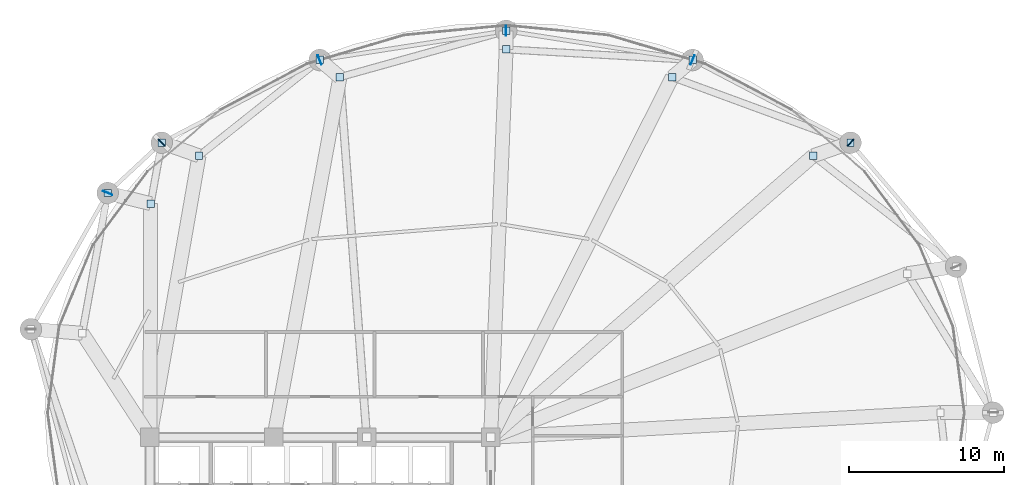
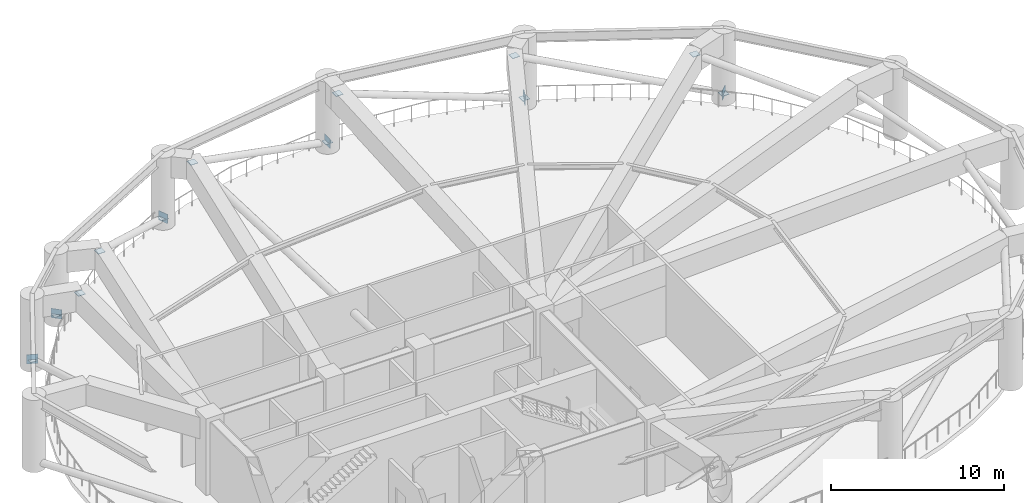
# One storey, part 5 of 9: 18 plates.
"""IFC4 building model written with IfcOpenShell, lengths in metres."""

from ifc_helpers import new_model, si_unit, direction, frame, origin, origin_2d, place, context, subcontext, project, spatial, rectangle, extrude, material, layer, layer_set, type_object, element, save


model = new_model("IFC4")

# Units and contexts
model_context = context("Model", 3, precision=1e-05, world=origin(), true_north=direction((0.0, 1.0)))
body_context = subcontext(model_context, "Body", "Model", "MODEL_VIEW")
ifc_project = project(units=[si_unit("LENGTHUNIT", "METRE"), si_unit("AREAUNIT", "SQUARE_METRE"), si_unit("VOLUMEUNIT", "CUBIC_METRE"), si_unit("PLANEANGLEUNIT", "RADIAN"), si_unit("MASSUNIT", "GRAM", prefix="KILO")], contexts=[model_context])

# Site, building, storey
site_placement = place(None, origin())
site = spatial("IfcSite", under=ifc_project, at=site_placement, CompositionType="ELEMENT")
building_placement = place(site_placement, origin())
building = spatial("IfcBuilding", under=site, at=building_placement, Name="Kazevale Care Tower and Concert Hall", CompositionType="ELEMENT")
storey_placement = place(building_placement, frame((0.0, 0.0, 92.39990234375)))
storey = spatial("IfcBuildingStorey", under=building, at=storey_placement, Name="L24", CompositionType="ELEMENT", Elevation=92.39990234375)

# Plates
ifc_material = material(Name="Steel ASTM A572 Gr 50", Category="steel")
ifc_layer_1 = layer(ifc_material, 0.02490234375)
ifc_layer_set_1 = layer_set([ifc_layer_1], Name="Steel ASTM A572 Gr 50")
plate_type_1 = type_object("IfcPlateType", Name="Hollow Section End Cap Plate 25mm", PredefinedType="USERDEFINED", material=ifc_layer_set_1)
for number, where, z_axis, x_axis, name in (
    (1, (64.830078125, 54.580078125, 4.517578125), (0.0, 0.0, 1.0), (1.0, 0.0, 0.0), "brace:L24:belt:02:cap1"),
    (2, (67.239990234375, 55.429931640625, 0.3876953125), (0.0, 0.0, 1.0), (1.0, 0.0, 0.0), "brace:L24:belt:03:cap0"),
    (3, (55.72998046875, 59.659912109375, 4.517578125), (0.0, 0.0, 1.0), (1.0, 0.0, 0.0), "brace:L24:belt:03:cap1"),
    (4, (57.0400390625, 60.77001953125, 0.3876953125), (0.0, 0.0, 1.0), (1.0, 0.0, 0.0), "brace:L24:belt:04:cap0"),
    (5, (45.0, 61.449951171875, 4.517578125), (0.0, 0.0, 1.0), (1.0, 0.0, 0.0), "brace:L24:belt:04:cap1"),
    (6, (45.0, 62.64990234375, 0.3876953125), (0.0, 0.0, 1.0), (1.0, 0.0, 0.0), "brace:L24:belt:05:cap0"),
    (7, (34.27001953125, 59.659912109375, 4.517578125), (0.0, 0.0, 1.0), (1.0, 0.0, 0.0), "brace:L24:belt:05:cap1"),
    (8, (32.9599609375, 60.77001953125, 0.3876953125), (0.0, 0.0, 1.0), (1.0, 0.0, 0.0), "brace:L24:belt:06:cap0"),
    (9, (25.169921875, 54.580078125, 4.517578125), (0.0, 0.0, 1.0), (1.0, 0.0, 0.0), "brace:L24:belt:06:cap1"),
    (10, (22.760009765625, 55.429931640625, 0.3876953125), (0.0, 0.0, 1.0), (1.0, 0.0, 0.0), "brace:L24:belt:07:cap0"),
    (11, (22.050048828125, 51.489990234375, 4.517578125), (0.0, 0.0, 1.0), (1.0, 0.0, 0.0), "brace:L24:belt:07:cap1"),
    (12, (19.27001953125, 52.179931640625, 0.3876953125), (0.0, 0.0, 1.0), (1.0, 0.0, 0.0), "brace:L24:belt:08:cap0"),
):
    element("IfcPlate", number, at=place(storey_placement, frame(where, z_axis=z_axis, x_axis=x_axis)), inside=storey, type_object=plate_type_1, Name=name, ObjectType="END_CAP_PLATE", PredefinedType="USERDEFINED", context=body_context, shape_type="SweptSolid", body=[
        extrude(rectangle(XDim=0.47998046875, YDim=0.47998046875, at=origin_2d()), origin(), (0.0, 0.0, 1.0), 0.02490234375),
    ])
ifc_layer_2 = layer(ifc_material, 0.0400390625)
ifc_layer_set_2 = layer_set([ifc_layer_2], Name="Steel ASTM A572 Gr 50")
plate_type_2 = type_object("IfcPlateType", Name="Outrigger & Truss Gusset Plate 40mm", PredefinedType="USERDEFINED", material=ifc_layer_set_2)
for number, where, z_axis, x_axis, name in (
    (13, (67.239990234375, 55.429931640625, 0.125244140625), (0.0, 0.0, 1.0), (0.707106781187, 0.707106781187, 0.0), "plate:L24:gusset:03"),
    (14, (57.0400390625, 60.77001953125, 0.125244140625), (0.0, 0.0, 1.0), (0.382683432365, 0.923879532511, 0.0), "plate:L24:gusset:04"),
    (15, (45.0, 62.64990234375, 0.125244140625), (0.0, 0.0, 1.0), (0.0, 1.0, 0.0), "plate:L24:gusset:05"),
    (16, (32.9599609375, 60.77001953125, 0.125244140625), (0.0, 0.0, 1.0), (-0.382683432365, 0.923879532511, 0.0), "plate:L24:gusset:06"),
    (17, (22.760009765625, 55.429931640625, 0.125244140625), (0.0, 0.0, 1.0), (-0.707106781187, 0.707106781187, 0.0), "plate:L24:gusset:07"),
    (18, (19.27001953125, 52.179931640625, 0.125244140625), (0.0, 0.0, 1.0), (-0.923879532511, 0.382683432365, 0.0), "plate:L24:gusset:08"),
):
    element("IfcPlate", number, at=place(storey_placement, frame(where, z_axis=z_axis, x_axis=x_axis)), inside=storey, type_object=plate_type_2, Name=name, ObjectType="GUSSET_PLATE", PredefinedType="USERDEFINED", context=body_context, shape_type="SweptSolid", body=[
        extrude(rectangle(XDim=0.64990234375, YDim=0.0400390625, at=origin_2d()), origin(), (0.0, 0.0, 1.0), 0.64990234375),
    ])

save(model, "model.ifc")
